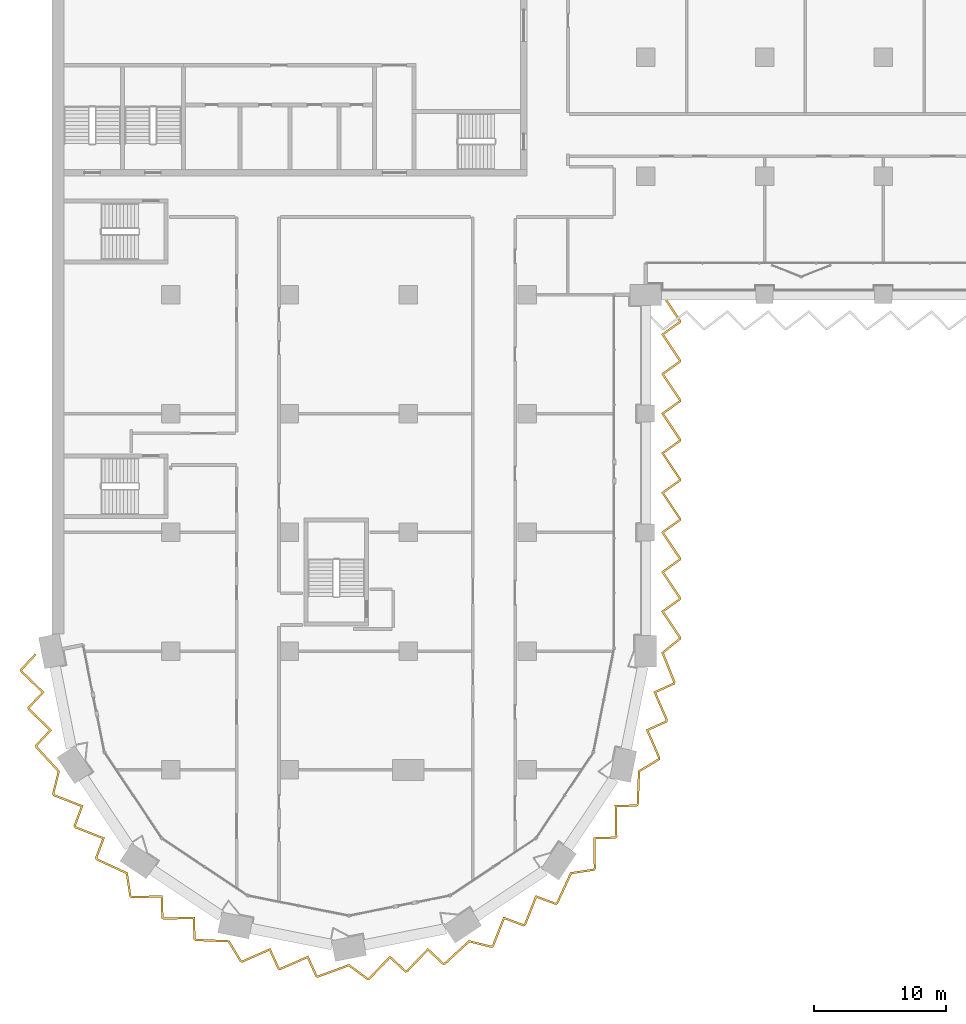
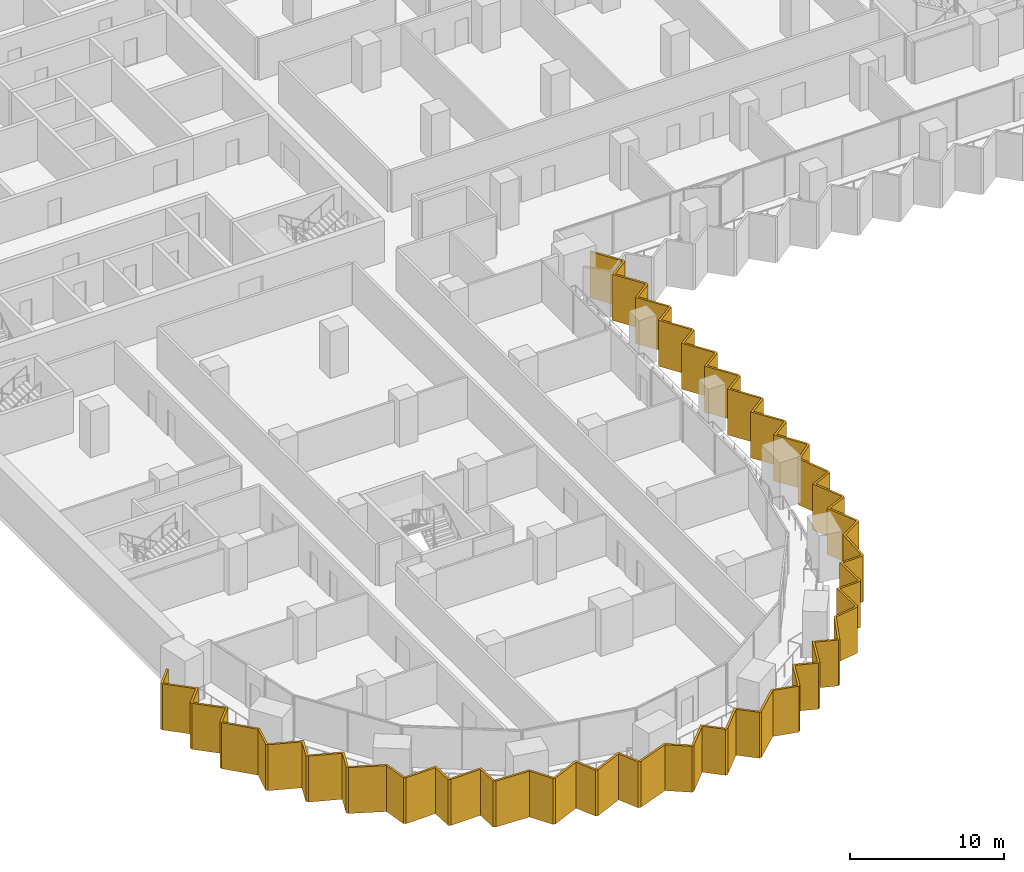
# One storey, part 23 of 28: 1 shading device.
"""IFC4 building model written with IfcOpenShell, lengths in metres."""

from ifc_helpers import new_model, si_unit, direction, frame, origin, place, context, subcontext, project, spatial, polyline, outline, extrude, material, layer, layer_set, type_object, element, save


model = new_model("IFC4")

# Units and contexts
model_context = context("Model", 3, precision=1e-05, world=origin(), true_north=direction((0.0, 1.0)))
body_context = subcontext(model_context, "Body", "Model", "MODEL_VIEW")
ifc_project = project(units=[si_unit("LENGTHUNIT", "METRE"), si_unit("AREAUNIT", "SQUARE_METRE"), si_unit("VOLUMEUNIT", "CUBIC_METRE"), si_unit("PLANEANGLEUNIT", "RADIAN"), si_unit("MASSUNIT", "GRAM", prefix="KILO")], contexts=[model_context])

# Site, building, storey
site_placement = place(None, origin())
site = spatial("IfcSite", under=ifc_project, at=site_placement, CompositionType="ELEMENT")
building_placement = place(site_placement, origin())
building = spatial("IfcBuilding", under=site, at=building_placement, Name="Hunhe Ridgeline Campus", CompositionType="ELEMENT")
storey_placement = place(building_placement, frame((0.0, 0.0, 39.5)))
storey = spatial("IfcBuildingStorey", under=building, at=storey_placement, Name="L08", CompositionType="ELEMENT", Elevation=39.5)

# Shading device
ifc_material = material(Name="Concrete C50", Category="concrete")
ifc_layer = layer(ifc_material, 0.14990234375)
ifc_layer_set = layer_set([ifc_layer], Name="Sawtooth concrete fin 150 Concrete C50")
shading_device_type = type_object("IfcShadingDeviceType", Name="Sawtooth concrete fin 150 Concrete C50", PredefinedType="USERDEFINED", material=ifc_layer_set)
shading_device_placement = place(storey_placement, frame((0.0, 0.0, -0.949951171875)))
element("IfcShadingDevice", 1, at=shading_device_placement, inside=storey, type_object=shading_device_type, Name="Concrete fin screen 1", ObjectType="FIN", PredefinedType="USERDEFINED", context=body_context, shape_type="SweptSolid", body=[
    extrude(outline(polyline([(-1.195556640625, 26.7001953125), (-1.305419921875, 26.802490234375), (-2.424072265625, 25.603759765625), (-2.388671875, 25.42529296875), (-0.78466796875, 23.87841796875), (-1.853271484375, 22.733642578125), (-1.81787109375, 22.55517578125), (-0.2138671875, 21.00830078125), (-1.282470703125, 19.863525390625), (-1.247314453125, 19.687255859375), (0.42919921875, 17.870849609375), (0.010498046875, 16.16748046875), (0.1083984375, 16.0205078125), (2.182373046875, 15.205322265625), (1.63330078125, 13.73876953125), (1.734375, 13.58740234375), (3.80810546875, 12.772216796875), (3.259033203125, 11.3056640625), (3.35888671875, 11.15625), (5.602783203125, 10.11962890625), (5.86767578125, 8.385498046875), (6.0146484375, 8.28759765625), (8.242431640625, 8.327880859375), (8.29638671875, 6.7626953125), (8.44775390625, 6.66162109375), (10.67578125, 6.7021484375), (10.729736328125, 5.136962890625), (10.87890625, 5.037353515625), (13.348876953125, 4.9384765625), (14.25732421875, 3.437744140625), (14.430419921875, 3.4033203125), (16.473388671875, 4.29296875), (17.1220703125, 2.867919921875), (17.300537109375, 2.832275390625), (19.343505859375, 3.72216796875), (19.9921875, 2.296875), (20.16845703125, 2.261962890625), (22.488037109375, 3.11572265625), (23.901611328125, 2.076904296875), (24.07470703125, 2.111328125), (25.62158203125, 3.71533203125), (26.766357421875, 2.646728515625), (26.94482421875, 2.68212890625), (28.49169921875, 4.2861328125), (29.636474609375, 3.217529296875), (29.812744140625, 3.252685546875), (31.629150390625, 4.92919921875), (33.33251953125, 4.510498046875), (33.4794921875, 4.6083984375), (34.294677734375, 6.682373046875), (35.76123046875, 6.13330078125), (35.91259765625, 6.234375), (36.727783203125, 8.30810546875), (38.1943359375, 7.759033203125), (38.34375, 7.85888671875), (39.38037109375, 10.102783203125), (41.114501953125, 10.36767578125), (41.21240234375, 10.5146484375), (41.172119140625, 12.742431640625), (42.7373046875, 12.79638671875), (42.83837890625, 12.94775390625), (42.7978515625, 15.17578125), (44.363037109375, 15.229736328125), (44.462646484375, 15.37890625), (44.5615234375, 17.848876953125), (46.062255859375, 18.75732421875), (46.0966796875, 18.930419921875), (45.20703125, 20.973388671875), (46.632080078125, 21.6220703125), (46.667724609375, 21.800537109375), (45.77783203125, 23.843505859375), (47.203125, 24.4921875), (47.23828125, 24.66943359375), (46.364990234375, 26.85107421875), (47.64990234375, 27.8994140625), (47.64990234375, 28.077880859375), (46.377685546875, 29.9814453125), (47.64990234375, 30.896484375), (47.64990234375, 31.077880859375), (46.377685546875, 32.9814453125), (47.64990234375, 33.896484375), (47.64990234375, 34.077880859375), (46.377685546875, 35.9814453125), (47.64990234375, 36.896484375), (47.64990234375, 37.077880859375), (46.377685546875, 38.9814453125), (47.64990234375, 39.896484375), (47.64990234375, 40.077880859375), (46.377685546875, 41.9814453125), (47.64990234375, 42.896484375), (47.64990234375, 43.077880859375), (46.377685546875, 44.9814453125), (47.64990234375, 45.896484375), (47.64990234375, 46.077880859375), (46.377685546875, 47.9814453125), (47.64990234375, 48.896484375), (47.64990234375, 49.077880859375), (46.377685546875, 50.9814453125), (47.64990234375, 51.896484375), (47.64990234375, 52.077880859375), (46.33740234375, 54.041748046875), (46.212646484375, 53.958251953125), (47.5, 52.0322265625), (47.5, 51.973388671875), (46.17236328125, 51.0185546875), (47.5, 49.0322265625), (47.5, 48.973388671875), (46.17236328125, 48.0185546875), (47.5, 46.0322265625), (47.5, 45.973388671875), (46.17236328125, 45.0185546875), (47.5, 43.0322265625), (47.5, 42.973388671875), (46.17236328125, 42.0185546875), (47.5, 40.0322265625), (47.5, 39.973388671875), (46.17236328125, 39.0185546875), (47.5, 37.0322265625), (47.5, 36.973388671875), (46.17236328125, 36.0185546875), (47.5, 34.0322265625), (47.5, 33.973388671875), (46.17236328125, 33.0185546875), (47.5, 31.0322265625), (47.5, 30.973388671875), (46.17236328125, 30.0185546875), (47.5, 28.0322265625), (47.5, 27.970703125), (46.184814453125, 26.897705078125), (47.08251953125, 24.655029296875), (47.071044921875, 24.596923828125), (45.581298828125, 23.9189453125), (46.511474609375, 21.78369140625), (46.5, 21.726806640625), (45.010498046875, 21.048583984375), (45.9404296875, 18.91357421875), (45.92822265625, 18.851318359375), (44.4150390625, 17.935546875), (44.314453125, 15.42724609375), (44.281005859375, 15.376953125), (42.645263671875, 15.320556640625), (42.6875, 12.991943359375), (42.6552734375, 12.94384765625), (41.01953125, 12.887451171875), (41.061767578125, 10.558837890625), (41.0263671875, 10.506103515625), (39.27783203125, 10.239013671875), (38.225341796875, 7.9599609375), (38.175048828125, 7.926513671875), (36.642333984375, 8.500244140625), (35.7900390625, 6.3330078125), (35.741943359375, 6.300537109375), (34.208984375, 6.87451171875), (33.35693359375, 4.70703125), (33.30419921875, 4.671875), (31.586669921875, 5.09423828125), (29.741943359375, 3.3916015625), (29.6826171875, 3.379638671875), (28.486328125, 4.49658203125), (26.86962890625, 2.820068359375), (26.8125, 2.808837890625), (25.6162109375, 3.925537109375), (23.99951171875, 2.249267578125), (23.937255859375, 2.23681640625), (22.511962890625, 3.284423828125), (20.15625, 2.417236328125), (20.096923828125, 2.428955078125), (19.4189453125, 3.918701171875), (17.28369140625, 2.988525390625), (17.226806640625, 3.0), (16.548583984375, 4.489501953125), (14.41357421875, 3.5595703125), (14.351318359375, 3.57177734375), (13.435546875, 5.0849609375), (10.92724609375, 5.185546875), (10.876953125, 5.218994140625), (10.820556640625, 6.854736328125), (8.491943359375, 6.8125), (8.44384765625, 6.8447265625), (8.387451171875, 8.48046875), (6.058837890625, 8.438232421875), (6.006103515625, 8.4736328125), (5.739013671875, 10.22216796875), (3.4599609375, 11.274658203125), (3.426513671875, 11.324951171875), (4.000244140625, 12.857666015625), (1.8330078125, 13.7099609375), (1.800537109375, 13.758056640625), (2.37451171875, 15.291015625), (0.20703125, 16.14306640625), (0.171875, 16.19580078125), (0.59423828125, 17.913330078125), (-1.1083984375, 19.758056640625), (-1.120361328125, 19.8173828125), (-0.00341796875, 21.013671875), (-1.679931640625, 22.63037109375), (-1.691162109375, 22.6875), (-0.574462890625, 23.8837890625), (-2.250732421875, 25.50048828125), (-2.261962890625, 25.5576171875), (-1.195556640625, 26.7001953125)])), origin(), (0.0, 0.0, 1.0), 3.64990234375),
])

save(model, "model.ifc")
